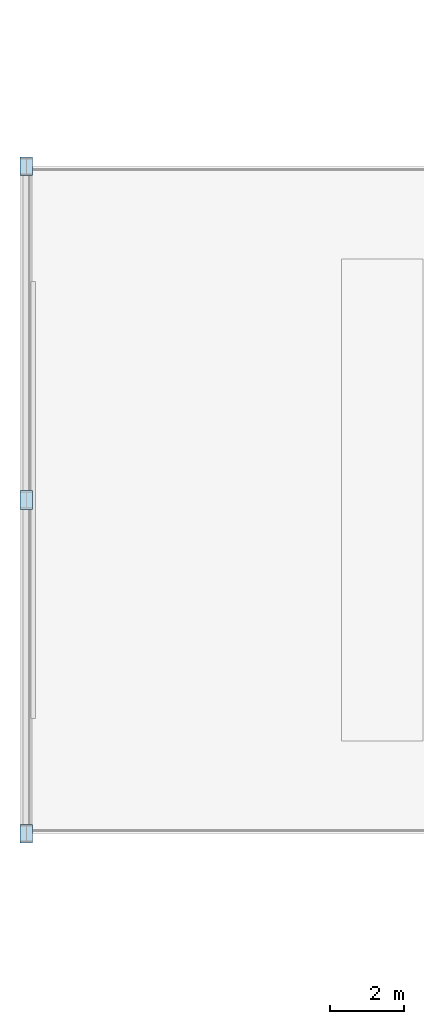
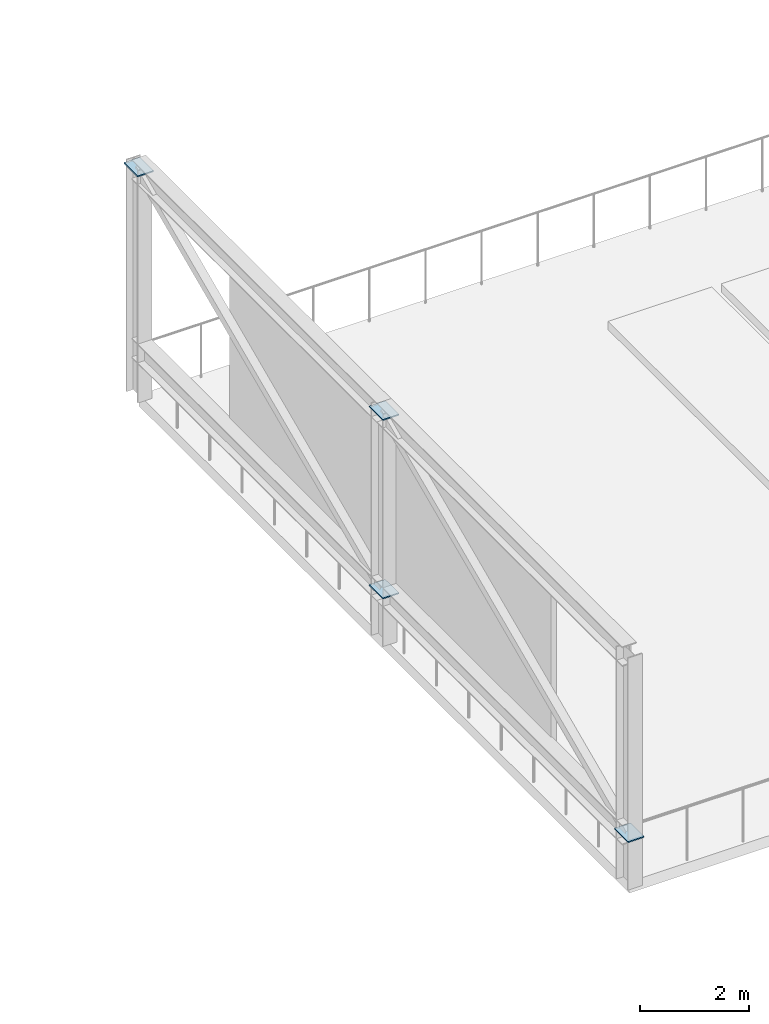
# One storey, part 77 of 97: 4 plates.
"""IFC4 building model written with IfcOpenShell, lengths in metres."""

from ifc_helpers import new_model, si_unit, direction, frame, origin, origin_2d, place, context, subcontext, project, spatial, rectangle, extrude, material, layer, layer_set, type_object, element, save


model = new_model("IFC4")

# Units and contexts
model_context = context("Model", 3, precision=1e-05, world=origin(), true_north=direction((0.0, 1.0)))
body_context = subcontext(model_context, "Body", "Model", "MODEL_VIEW")
ifc_project = project(units=[si_unit("LENGTHUNIT", "METRE"), si_unit("AREAUNIT", "SQUARE_METRE"), si_unit("VOLUMEUNIT", "CUBIC_METRE"), si_unit("PLANEANGLEUNIT", "RADIAN"), si_unit("MASSUNIT", "GRAM", prefix="KILO")], contexts=[model_context])

# Site, building, storey
site_placement = place(None, origin())
site = spatial("IfcSite", under=ifc_project, at=site_placement, CompositionType="ELEMENT")
building_placement = place(site_placement, origin())
building = spatial("IfcBuilding", under=site, at=building_placement, Name="Lykobir Media Centre", CompositionType="ELEMENT")
storey_placement = place(building_placement, frame((0.0, 0.0, 23.39990234375)))
storey = spatial("IfcBuildingStorey", under=building, at=storey_placement, Name="L05", CompositionType="ELEMENT", Elevation=23.39990234375)

# Plates
ifc_material = material(Name="Steel S355", Category="steel")
ifc_layer = layer(ifc_material, 0.02587890625, Name="Steel S355")
ifc_layer_set = layer_set([ifc_layer], Name="Steel S355")
plate_type = type_object("IfcPlateType", Name="GP-500", PredefinedType="USERDEFINED", material=ifc_layer_set)
for number, where, z_axis, x_axis, name in (
    (1, (0.0, 27.0, 1.087158203125), (0.0, 0.0, 1.0), (0.0, 1.0, 0.0), "Structural plate PLT-L05-0000-0270-0245"),
    (2, (0.0, 36.0, 5.087158203125), (0.0, 0.0, 1.0), (0.0, 1.0, 0.0), "Structural plate PLT-L05-0000-0360-0285"),
    (3, (0.0, 36.0, 1.087158203125), (0.0, 0.0, 1.0), (0.0, 1.0, 0.0), "Structural plate PLT-L05-0000-0360-0245"),
    (4, (0.0, 45.0, 5.087158203125), (0.0, 0.0, 1.0), (0.0, 1.0, 0.0), "Structural plate PLT-L05-0000-0450-0285"),
):
    element("IfcPlate", number, at=place(storey_placement, frame(where, z_axis=z_axis, x_axis=x_axis)), inside=storey, type_object=plate_type, Name=name, ObjectType="GUSSET_PLATE", PredefinedType="USERDEFINED", context=body_context, shape_type="SweptSolid", body=[
        extrude(rectangle(XDim=0.5, YDim=0.340087890625, at=origin_2d()), origin(), (0.0, 0.0, 1.0), 0.02587890625),
    ])

save(model, "model.ifc")
